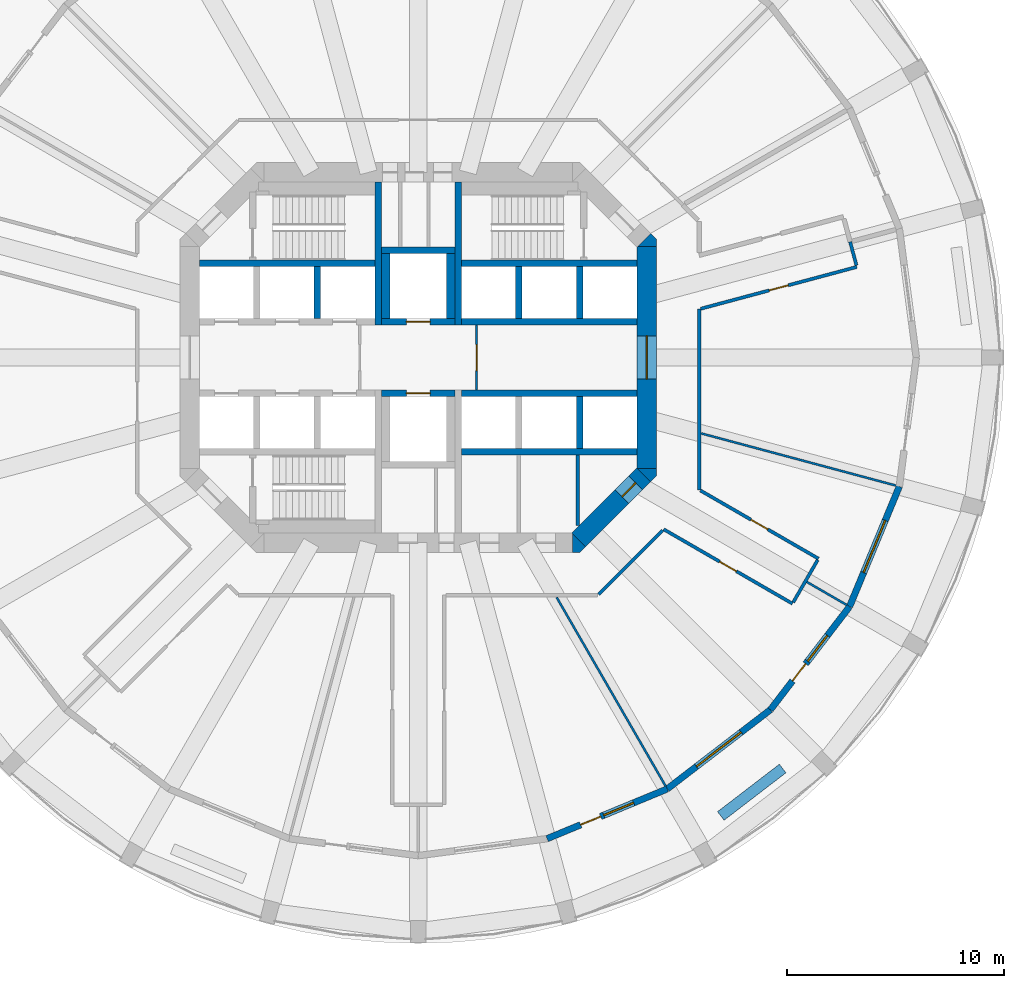
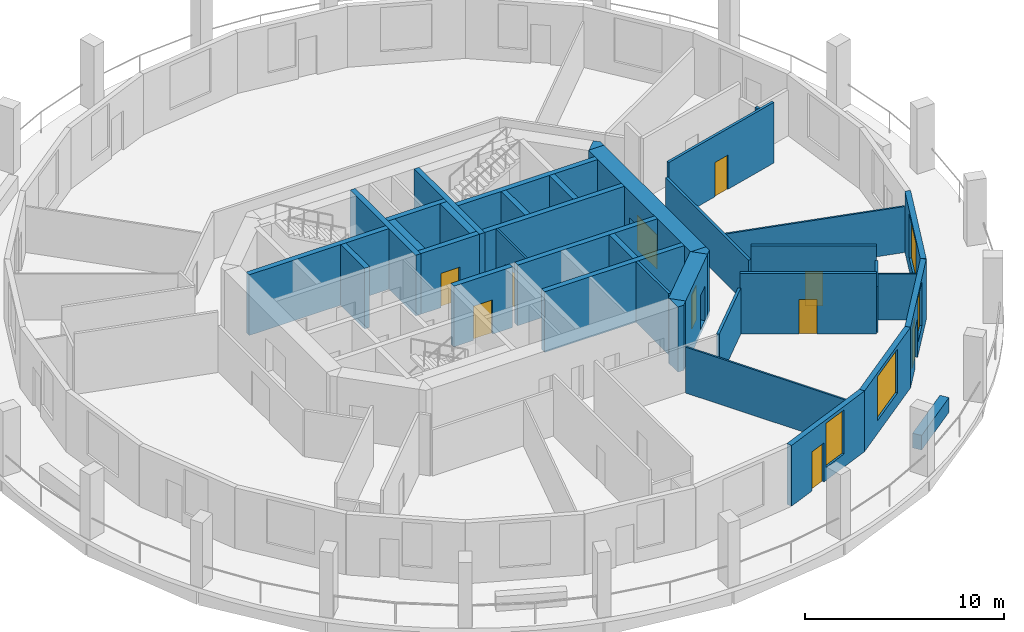
# One storey, part 4 of 9: 38 walls, 10 doors, 4 windows, 14 openings.
"""IFC4 building model written with IfcOpenShell, lengths in metres."""

from ifc_helpers import new_model, si_unit, direction, frame, frame_2d, origin, place, context, subcontext, project, spatial, polyline, rectangle, outline, extrude, material, layer, layer_set, type_object, element, fill, save


model = new_model("IFC4")

# Units and contexts
model_context = context("Model", 3, precision=1e-05, world=origin(), true_north=direction((0.0, 1.0)))
body_context = subcontext(model_context, "Body", "Model", "MODEL_VIEW")
ifc_project = project(units=[si_unit("LENGTHUNIT", "METRE"), si_unit("AREAUNIT", "SQUARE_METRE"), si_unit("VOLUMEUNIT", "CUBIC_METRE"), si_unit("PLANEANGLEUNIT", "RADIAN"), si_unit("MASSUNIT", "GRAM", prefix="KILO")], contexts=[model_context])

# Site, building, storey
site_placement = place(None, origin())
site = spatial("IfcSite", under=ifc_project, at=site_placement, CompositionType="ELEMENT")
building_placement = place(site_placement, origin())
building = spatial("IfcBuilding", under=site, at=building_placement, Name="Torre Triforio", CompositionType="ELEMENT")
storey_placement = place(building_placement, frame((0.0, 0.0, 39.0)))
storey = spatial("IfcBuildingStorey", under=building, at=storey_placement, Name="L07", CompositionType="ELEMENT", Elevation=39.0)

# Walls
ifc_material_1 = material(Name="Concrete C60", Category="concrete")
ifc_layer_1 = layer(ifc_material_1, 0.300048828125)
ifc_layer_set_1 = layer_set([ifc_layer_1], Name="Concrete C60")
wall_type_1 = type_object("IfcWallType", Name="Core wall 300 mm C60 EI 120", PredefinedType="SHEAR", material=ifc_layer_set_1)
for number, where, z_axis, x_axis, name in (
    (1, (-1.85009765625, 1.5, 0.0), (0.0, 0.0, 1.0), (0.0, 1.0, 0.0), "Core wall"),
    (2, (1.85009765625, 1.5, 0.0), (0.0, 0.0, 1.0), (0.0, 1.0, 0.0), "Core wall"),
):
    element("IfcWall", number, at=place(storey_placement, frame(where, z_axis=z_axis, x_axis=x_axis)), inside=storey, type_object=wall_type_1, Name=name, PredefinedType="SHEAR", context=body_context, shape_type="SweptSolid", body=[
        extrude(rectangle(XDim=6.60009765625, YDim=0.300048828125, at=frame_2d((3.300048828125, 0.0))), origin(), (0.0, 0.0, 1.0), 3.719970703125),
    ])

# Wall, opening, door
ifc_layer_2 = layer(ifc_material_1, 0.89990234375)
ifc_layer_set_2 = layer_set([ifc_layer_2], Name="Concrete C60")
wall_type_2 = type_object("IfcWallType", Name="Core wall 900 mm C60 EI 120", PredefinedType="SHEAR", material=ifc_layer_set_2)
wall_1_placement = place(storey_placement, frame((10.550048828125, -5.1298828125, -0.280029296875), z_axis=(0.0, 0.0, 1.0), x_axis=(0.0, 1.0, 0.0)))
wall_1 = element("IfcWall", 3, at=wall_1_placement, inside=storey, type_object=wall_type_2, Name="Core wall", PredefinedType="SHEAR", context=body_context, shape_type="SweptSolid", body=[
    extrude(rectangle(XDim=10.259765625, YDim=0.89990234375, at=frame_2d((5.1298828125, 0.0))), origin(), (0.0, 0.0, 1.0), 4.0),
])
opening_1_placement = place(wall_1_placement, frame((4.1298828125, 0.0, 0.280029296875)))
opening_1 = element("IfcOpeningElement", 4, at=opening_1_placement, cuts=wall_1, Name="Opening E-RING", PredefinedType="OPENING", context=body_context, shape_type="SweptSolid", body=[
    extrude(rectangle(XDim=2.0, YDim=2.10009765625, at=frame_2d((1.0, 1.050048828125))), frame((0.0, 0.4599609375, 0.0), z_axis=(0.0, -1.0, 0.0), x_axis=(1.0, 0.0, 0.0)), (0.0, 0.0, 1.0), 0.919921875),
])
ifc_material_2 = material(Name="Hollow metal fire door leaf")
door_type_1 = type_object("IfcDoorType", Name="Lobby door 2000 x 2100 EI 60", OperationType="DOUBLE_DOOR_SINGLE_SWING", PredefinedType="DOOR", material=ifc_material_2)
door_1_placement = place(opening_1_placement, origin())
door_1 = element("IfcDoor", 5, at=door_1_placement, inside=storey, type_object=door_type_1, Name="Core door E-RING", OperationType="DOUBLE_DOOR_SINGLE_SWING", OverallHeight=2.10009765625, OverallWidth=2.0, PredefinedType="DOOR", context=body_context, shape_type="SweptSolid", body=[
    extrude(rectangle(XDim=2.0, YDim=2.10009765625, at=frame_2d((1.0, 1.050048828125))), frame((0.0, 0.02490234375, 0.0), z_axis=(0.0, -1.0, 0.0), x_axis=(1.0, 0.0, 0.0)), (0.0, 0.0, 1.0), 0.050048828125),
])
fill(opening_1, door_1)

wall_2_placement = place(storey_placement, frame((10.418212890625, -5.418212890625, -0.280029296875), z_axis=(0.0, 0.0, 1.0), x_axis=(-0.707106781187, -0.707106781187, 0.0)))
wall_2 = element("IfcWall", 6, at=wall_2_placement, inside=storey, type_object=wall_type_2, Name="Core wall", PredefinedType="SHEAR", context=body_context, shape_type="SweptSolid", body=[
    extrude(rectangle(XDim=4.24267578125, YDim=0.89990234375, at=frame_2d((2.121337890625, 0.0))), origin(), (0.0, 0.0, 1.0), 4.0),
])
opening_2_placement = place(wall_2_placement, frame((0.52001953125, 0.0, 0.280029296875)))
opening_2 = element("IfcOpeningElement", 7, at=opening_2_placement, cuts=wall_2, Name="Opening SE-03", PredefinedType="OPENING", context=body_context, shape_type="SweptSolid", body=[
    extrude(rectangle(XDim=0.89990234375, YDim=2.10009765625, at=frame_2d((0.449951171875, 1.050048828125))), frame((0.0, 0.4599609375, 0.0), z_axis=(0.0, -1.0, 0.0), x_axis=(1.0, 0.0, 0.0)), (0.0, 0.0, 1.0), 0.919921875),
])
door_type_2 = type_object("IfcDoorType", Name="Room door 900 x 2100 EI 60", OperationType="NOTDEFINED", PredefinedType="DOOR", material=ifc_material_2)
door_2_placement = place(opening_2_placement, origin())
door_2 = element("IfcDoor", 8, at=door_2_placement, inside=storey, type_object=door_type_2, Name="Core door SE-03", OperationType="SINGLE_SWING_RIGHT", OverallHeight=2.10009765625, OverallWidth=0.89990234375, PredefinedType="DOOR", context=body_context, shape_type="SweptSolid", body=[
    extrude(rectangle(XDim=0.89990234375, YDim=2.10009765625, at=frame_2d((0.449951171875, 1.050048828125))), frame((0.0, 0.02490234375, 0.0), z_axis=(0.0, -1.0, 0.0), x_axis=(1.0, 0.0, 0.0)), (0.0, 0.0, 1.0), 0.050048828125),
])
fill(opening_2, door_2)

# Walls
wall_3_placement = place(storey_placement, frame((0.0, 0.0, -0.280029296875)))
element("IfcWall", 9, at=wall_3_placement, inside=storey, type_object=wall_type_2, Name="Core wall", PredefinedType="SHEAR", context=body_context, shape_type="SweptSolid", body=[
    extrude(outline(polyline([(7.472900390625, -9.0), (7.1298828125, -9.0), (7.1298828125, -8.1298828125), (7.736328125, -8.736328125), (7.472900390625, -9.0)])), origin(), (0.0, 0.0, 1.0), 4.0),
])
wall_4_placement = place(storey_placement, frame((0.0, 0.0, -0.280029296875)))
element("IfcWall", 10, at=wall_4_placement, inside=storey, type_object=wall_type_2, Name="Core wall", PredefinedType="SHEAR", context=body_context, shape_type="SweptSolid", body=[
    extrude(outline(polyline([(11.0, -5.472900390625), (10.736328125, -5.736328125), (10.1298828125, -5.1298828125), (11.0, -5.1298828125), (11.0, -5.472900390625)])), origin(), (0.0, 0.0, 1.0), 4.0),
])
wall_5_placement = place(storey_placement, frame((0.0, 0.0, -0.280029296875)))
element("IfcWall", 11, at=wall_5_placement, inside=storey, type_object=wall_type_2, Name="Core wall", PredefinedType="SHEAR", context=body_context, shape_type="SweptSolid", body=[
    extrude(outline(polyline([(11.0, 5.472900390625), (11.0, 5.1298828125), (10.1298828125, 5.1298828125), (10.736328125, 5.736328125), (11.0, 5.472900390625)])), origin(), (0.0, 0.0, 1.0), 4.0),
])
ifc_material_3 = material(Name="Plasterboard on metal studs")
ifc_layer_3 = layer(ifc_material_3, 0.14990234375)
ifc_layer_set_3 = layer_set([ifc_layer_3], Name="Plasterboard on metal studs")
wall_type_3 = type_object("IfcWallType", Name="Corridor and tenancy wall 150 mm EI 60", PredefinedType="PARTITIONING", material=ifc_layer_set_3)
wall_6_placement = place(storey_placement, frame((18.44482421875, -9.35009765625, 0.0), z_axis=(0.0, 0.0, 1.0), x_axis=(-0.500013631625, -0.866017533419, 0.0)))
element("IfcWall", 12, at=wall_6_placement, inside=storey, type_object=wall_type_3, Name="Partition 1", PredefinedType="PARTITIONING", context=body_context, shape_type="SweptSolid", body=[
    extrude(rectangle(XDim=2.25, YDim=0.14990234375, at=frame_2d((1.125, 0.0))), origin(), (0.0, 0.0, 1.0), 2.820068359375),
])

# Wall, opening, door
wall_7_placement = place(storey_placement, frame((17.2822265625, -11.363525390625, 0.0), z_axis=(0.0, 0.0, 1.0), x_axis=(-0.86603341746, 0.49998611965, 0.0)))
wall_7 = element("IfcWall", 13, at=wall_7_placement, inside=storey, type_object=wall_type_3, Name="Partition 2", PredefinedType="PARTITIONING", context=body_context, shape_type="SweptSolid", body=[
    extrude(rectangle(XDim=6.866455078125, YDim=0.14990234375, at=frame_2d((3.43310546875, 0.0))), origin(), (0.0, 0.0, 1.0), 3.719970703125),
])
opening_3_placement = place(wall_7_placement, frame((2.9833984375, 0.0, 0.0)))
opening_3 = element("IfcOpeningElement", 14, at=opening_3_placement, cuts=wall_7, Name="Opening N2-08", PredefinedType="OPENING", context=body_context, shape_type="SweptSolid", body=[
    extrude(rectangle(XDim=0.89990234375, YDim=2.10009765625, at=frame_2d((0.449951171875, 1.050048828125))), frame((0.0, 0.0849609375, 0.0), z_axis=(0.0, -1.0, 0.0), x_axis=(1.0, 0.0, 0.0)), (0.0, 0.0, 1.0), 0.169921875),
])
ifc_material_4 = material(Name="Timber", Category="wood")
door_type_3 = type_object("IfcDoorType", Name="Door 900 x 2100 single leaf EI 30", OperationType="NOTDEFINED", PredefinedType="DOOR", material=ifc_material_4)
door_3_placement = place(opening_3_placement, origin())
door_3 = element("IfcDoor", 15, at=door_3_placement, inside=storey, type_object=door_type_3, Name="Door N2-08", OperationType="SINGLE_SWING_RIGHT", OverallHeight=2.10009765625, OverallWidth=0.89990234375, PredefinedType="DOOR", context=body_context, shape_type="SweptSolid", body=[
    extrude(rectangle(XDim=0.89990234375, YDim=2.10009765625, at=frame_2d((0.449951171875, 1.050048828125))), frame((0.0, 0.02490234375, 0.0), z_axis=(0.0, -1.0, 0.0), x_axis=(1.0, 0.0, 0.0)), (0.0, 0.0, 1.0), 0.050048828125),
])
fill(opening_3, door_3)

# Walls
wall_8_placement = place(storey_placement, frame((11.2841796875, -7.9814453125, 0.0), z_axis=(0.0, 0.0, 1.0), x_axis=(-0.707077584218, -0.707135976949, 0.0)))
element("IfcWall", 16, at=wall_8_placement, inside=storey, type_object=wall_type_3, Name="Partition 3", PredefinedType="PARTITIONING", context=body_context, shape_type="SweptSolid", body=[
    extrude(rectangle(XDim=4.180908203125, YDim=0.14990234375, at=frame_2d((2.09033203125, 0.0))), origin(), (0.0, 0.0, 1.0), 2.820068359375),
])
wall_9_placement = place(storey_placement, frame((19.945068359375, 5.34423828125, 0.0), z_axis=(0.0, 0.0, 1.0), x_axis=(0.258891558609, -0.965906393436, 0.0)))
element("IfcWall", 17, at=wall_9_placement, inside=storey, type_object=wall_type_3, Name="Partition 26", PredefinedType="PARTITIONING", context=body_context, shape_type="SweptSolid", body=[
    extrude(rectangle(XDim=1.125, YDim=0.14990234375, at=frame_2d((0.5625, 0.0))), origin(), (0.0, 0.0, 1.0), 2.820068359375),
])

# Wall, opening, door
wall_10_placement = place(storey_placement, frame((20.255615234375, 4.185302734375, 0.0), z_axis=(0.0, 0.0, 1.0), x_axis=(-0.965924840231, -0.258822725092, 0.0)))
wall_10 = element("IfcWall", 18, at=wall_10_placement, inside=storey, type_object=wall_type_3, Name="Partition 27", PredefinedType="PARTITIONING", context=body_context, shape_type="SweptSolid", body=[
    extrude(rectangle(XDim=7.465087890625, YDim=0.14990234375, at=frame_2d((3.732421875, 0.0))), origin(), (0.0, 0.0, 1.0), 3.719970703125),
])
opening_4_placement = place(wall_10_placement, frame((3.282470703125, 0.0, 0.0)))
opening_4 = element("IfcOpeningElement", 19, at=opening_4_placement, cuts=wall_10, Name="Opening N2-10", PredefinedType="OPENING", context=body_context, shape_type="SweptSolid", body=[
    extrude(rectangle(XDim=0.89990234375, YDim=2.10009765625, at=frame_2d((0.449951171875, 1.050048828125))), frame((0.0, 0.0849609375, 0.0), z_axis=(0.0, -1.0, 0.0), x_axis=(1.0, 0.0, 0.0)), (0.0, 0.0, 1.0), 0.169921875),
])
door_4_placement = place(opening_4_placement, origin())
door_4 = element("IfcDoor", 20, at=door_4_placement, inside=storey, type_object=door_type_3, Name="Door N2-10", OperationType="SINGLE_SWING_RIGHT", OverallHeight=2.10009765625, OverallWidth=0.89990234375, PredefinedType="DOOR", context=body_context, shape_type="SweptSolid", body=[
    extrude(rectangle(XDim=0.89990234375, YDim=2.10009765625, at=frame_2d((0.449951171875, 1.050048828125))), frame((0.0, 0.02490234375, 0.0), z_axis=(0.0, -1.0, 0.0), x_axis=(1.0, 0.0, 0.0)), (0.0, 0.0, 1.0), 0.050048828125),
])
fill(opening_4, door_4)

# Wall
wall_11_placement = place(storey_placement, frame((12.97509765625, 2.234375, 0.0), z_axis=(0.0, 0.0, 1.0), x_axis=(0.0, -1.0, 0.0)))
element("IfcWall", 21, at=wall_11_placement, inside=storey, type_object=wall_type_3, Name="Partition 28", PredefinedType="PARTITIONING", context=body_context, shape_type="SweptSolid", body=[
    extrude(rectangle(XDim=8.33984375, YDim=0.14990234375, at=frame_2d((4.169921875, 0.0))), origin(), (0.0, 0.0, 1.0), 2.820068359375),
])

# Wall, opening, door
wall_12_placement = place(storey_placement, frame((13.03125, -6.137939453125, 0.0), z_axis=(0.0, 0.0, 1.0), x_axis=(0.86602669382, -0.499997765587, 0.0)))
wall_12 = element("IfcWall", 22, at=wall_12_placement, inside=storey, type_object=wall_type_3, Name="Partition 29", PredefinedType="PARTITIONING", context=body_context, shape_type="SweptSolid", body=[
    extrude(rectangle(XDim=6.29443359375, YDim=0.14990234375, at=frame_2d((3.147216796875, 0.0))), origin(), (0.0, 0.0, 1.0), 3.719970703125),
])
opening_5_placement = place(wall_12_placement, frame((2.697021484375, 0.0, 0.0)))
opening_5 = element("IfcOpeningElement", 23, at=opening_5_placement, cuts=wall_12, Name="Opening N2-09", PredefinedType="OPENING", context=body_context, shape_type="SweptSolid", body=[
    extrude(rectangle(XDim=0.89990234375, YDim=2.10009765625, at=frame_2d((0.449951171875, 1.050048828125))), frame((0.0, 0.0849609375, 0.0), z_axis=(0.0, -1.0, 0.0), x_axis=(1.0, 0.0, 0.0)), (0.0, 0.0, 1.0), 0.169921875),
])
door_5_placement = place(opening_5_placement, origin())
door_5 = element("IfcDoor", 24, at=door_5_placement, inside=storey, type_object=door_type_3, Name="Door N2-09", OperationType="SINGLE_SWING_LEFT", OverallHeight=2.10009765625, OverallWidth=0.89990234375, PredefinedType="DOOR", context=body_context, shape_type="SweptSolid", body=[
    extrude(rectangle(XDim=0.89990234375, YDim=2.10009765625, at=frame_2d((0.449951171875, 1.050048828125))), frame((0.0, 0.02490234375, 0.0), z_axis=(0.0, -1.0, 0.0), x_axis=(1.0, 0.0, 0.0)), (0.0, 0.0, 1.0), 0.050048828125),
])
fill(opening_5, door_5)

ifc_material_5 = material(Name="Block and board partition")
ifc_layer_4 = layer(ifc_material_5, 0.10009765625)
ifc_layer_set_4 = layer_set([ifc_layer_4], Name="Block and board partition")
wall_type_4 = type_object("IfcWallType", Name="Partition 100 mm EI 120", PredefinedType="PARTITIONING", material=ifc_layer_set_4)
wall_13_placement = place(storey_placement, frame((2.699951171875, -1.5, 0.0), z_axis=(0.0, 0.0, 1.0), x_axis=(0.0, 1.0, 0.0)))
wall_13 = element("IfcWall", 25, at=wall_13_placement, inside=storey, type_object=wall_type_4, Name="Partition", PredefinedType="PARTITIONING", context=body_context, shape_type="SweptSolid", body=[
    extrude(rectangle(XDim=3.0, YDim=0.10009765625, at=frame_2d((1.5, 0.0))), origin(), (0.0, 0.0, 1.0), 3.719970703125),
])
opening_6_placement = place(wall_13_placement, frame((0.89990234375, 0.0, 0.0)))
opening_6 = element("IfcOpeningElement", 26, at=opening_6_placement, cuts=wall_13, Name="Opening FF-E", PredefinedType="OPENING", context=body_context, shape_type="SweptSolid", body=[
    extrude(rectangle(XDim=1.199951171875, YDim=2.10009765625, at=frame_2d((0.60009765625, 1.050048828125))), frame((0.0, 0.06005859375, 0.0), z_axis=(0.0, -1.0, 0.0), x_axis=(1.0, 0.0, 0.0)), (0.0, 0.0, 1.0), 0.1201171875),
])
door_type_4 = type_object("IfcDoorType", Name="Fire-fighting lobby door 1200 x 2100 EI 60", OperationType="NOTDEFINED", PredefinedType="DOOR", material=ifc_material_2)
door_6_placement = place(opening_6_placement, origin())
door_6 = element("IfcDoor", 27, at=door_6_placement, inside=storey, type_object=door_type_4, Name="Core door FF-E", OperationType="SINGLE_SWING_RIGHT", OverallHeight=2.10009765625, OverallWidth=1.199951171875, PredefinedType="DOOR", context=body_context, shape_type="SweptSolid", body=[
    extrude(rectangle(XDim=1.199951171875, YDim=2.10009765625, at=frame_2d((0.60009765625, 1.050048828125))), frame((0.0, 0.02490234375, 0.0), z_axis=(0.0, -1.0, 0.0), x_axis=(1.0, 0.0, 0.0)), (0.0, 0.0, 1.0), 0.050048828125),
])
fill(opening_6, door_6)

# Walls
ifc_layer_5 = layer(ifc_material_3, 0.10009765625)
ifc_layer_set_5 = layer_set([ifc_layer_5], Name="Plasterboard on metal studs")
wall_type_5 = type_object("IfcWallType", Name="Partition 100 mm board on metal studs", PredefinedType="PARTITIONING", material=ifc_layer_set_5)
wall_14_placement = place(storey_placement, frame((6.393798828125, -11.07470703125, 0.0), z_axis=(0.0, 0.0, 1.0), x_axis=(0.500024592647, -0.866011204747, 0.0)))
element("IfcWall", 28, at=wall_14_placement, inside=storey, type_object=wall_type_5, Name="Partition 39", PredefinedType="PARTITIONING", context=body_context, shape_type="SweptSolid", body=[
    extrude(rectangle(XDim=10.048828125, YDim=0.10009765625, at=frame_2d((5.0244140625, 0.0))), origin(), (0.0, 0.0, 1.0), 2.820068359375),
])
wall_15_placement = place(storey_placement, frame((17.947265625, -10.36181640625, 0.0), z_axis=(0.0, 0.0, 1.0), x_axis=(0.865987390988, -0.500065834316, 0.0)))
element("IfcWall", 29, at=wall_15_placement, inside=storey, type_object=wall_type_5, Name="Partition 40", PredefinedType="PARTITIONING", context=body_context, shape_type="SweptSolid", body=[
    extrude(rectangle(XDim=2.113037109375, YDim=0.10009765625, at=frame_2d((1.056640625, 0.0))), origin(), (0.0, 0.0, 1.0), 2.820068359375),
])
wall_16_placement = place(storey_placement, frame((13.064208984375, -3.50048828125, 0.0), z_axis=(0.0, 0.0, 1.0), x_axis=(0.965922655056, -0.258830880017, 0.0)))
element("IfcWall", 30, at=wall_16_placement, inside=storey, type_object=wall_type_5, Name="Partition 41", PredefinedType="PARTITIONING", context=body_context, shape_type="SweptSolid", body=[
    extrude(rectangle(XDim=9.311767578125, YDim=0.10009765625, at=frame_2d((4.65576171875, 0.0))), origin(), (0.0, 0.0, 1.0), 2.820068359375),
])
ifc_layer_6 = layer(ifc_material_5, 0.14990234375)
ifc_layer_set_6 = layer_set([ifc_layer_6], Name="Block and board partition")
wall_type_6 = type_object("IfcWallType", Name="Partition 150 mm", PredefinedType="PARTITIONING", material=ifc_layer_set_6)
wall_17_placement = place(storey_placement, frame((7.373046875, -7.751953125, 0.0), z_axis=(0.0, 0.0, 1.0), x_axis=(0.0, 1.0, 0.0)))
element("IfcWall", 31, at=wall_17_placement, inside=storey, type_object=wall_type_6, Name="Partition", PredefinedType="PARTITIONING", context=body_context, shape_type="SweptSolid", body=[
    extrude(rectangle(XDim=3.251953125, YDim=0.14990234375, at=frame_2d((1.6259765625, 0.0))), origin(), (0.0, 0.0, 1.0), 3.719970703125),
])
ifc_material_6 = material(Name="Limestone cladding", Category="masonry")
ifc_layer_7 = layer(ifc_material_6, 0.10009765625)
ifc_material_7 = material(Name="Concrete C40", Category="concrete")
ifc_layer_8 = layer(ifc_material_7, 0.39990234375)
ifc_layer_set_7 = layer_set([ifc_layer_7, ifc_layer_8], Name="Limestone cladding / Concrete C40")
wall_type_7 = type_object("IfcWallType", Name="Planter wall 500", PredefinedType="PARAPET", material=ifc_layer_set_7)
wall_18_placement = place(storey_placement, frame((13.9736328125, -21.16748046875, 0.0), z_axis=(0.0, 0.0, 1.0), x_axis=(0.793359599829, 0.608753271334, 0.0)))
element("IfcWall", 32, at=wall_18_placement, inside=storey, type_object=wall_type_7, Name="Planter L07 bay 21", PredefinedType="PARAPET", context=body_context, shape_type="SweptSolid", body=[
    extrude(rectangle(XDim=3.599853515625, YDim=0.5, at=frame_2d((1.7998046875, 0.0))), origin(), (0.0, 0.0, 1.0), 0.89990234375),
])
ifc_layer_9 = layer(ifc_material_1, 0.300048828125)
ifc_layer_set_8 = layer_set([ifc_layer_9], Name="Concrete C60")
wall_type_8 = type_object("IfcWallType", Name="Shaft wall 300 mm C60 EI 120", PredefinedType="SOLIDWALL", material=ifc_layer_set_8)
for number, where, z_axis, x_axis, name in (
    (33, (-10.10009765625, 4.35009765625, 0.0), (0.0, 0.0, 1.0), (1.0, 0.0, 0.0), "Shaft wall"),
    (34, (2.0, 4.35009765625, 0.0), (0.0, 0.0, 1.0), (1.0, 0.0, 0.0), "Shaft wall"),
    (35, (2.0, -4.35009765625, 0.0), (0.0, 0.0, 1.0), (1.0, 0.0, 0.0), "Shaft wall"),
    (36, (2.0, 1.64990234375, 0.0), (0.0, 0.0, 1.0), (1.0, 0.0, 0.0), "Shaft wall"),
    (37, (2.0, -1.64990234375, 0.0), (0.0, 0.0, 1.0), (1.0, 0.0, 0.0), "Shaft wall"),
):
    element("IfcWall", number, at=place(storey_placement, frame(where, z_axis=z_axis, x_axis=x_axis)), inside=storey, type_object=wall_type_8, Name=name, PredefinedType="SOLIDWALL", context=body_context, shape_type="SweptSolid", body=[
        extrude(rectangle(XDim=8.10009765625, YDim=0.300048828125, at=frame_2d((4.050048828125, 0.0))), origin(), (0.0, 0.0, 1.0), 3.719970703125),
    ])
for number, where, z_axis, x_axis, name in (
    (38, (-4.64990234375, 1.800048828125, 0.0), (0.0, 0.0, 1.0), (0.0, 1.0, 0.0), "Shaft wall"),
    (39, (4.64990234375, 1.800048828125, 0.0), (0.0, 0.0, 1.0), (0.0, 1.0, 0.0), "Shaft wall"),
    (40, (7.449951171875, 1.800048828125, 0.0), (0.0, 0.0, 1.0), (0.0, 1.0, 0.0), "Shaft wall"),
    (41, (7.449951171875, -4.199951171875, 0.0), (0.0, 0.0, 1.0), (0.0, 1.0, 0.0), "Shaft wall"),
):
    element("IfcWall", number, at=place(storey_placement, frame(where, z_axis=z_axis, x_axis=x_axis)), inside=storey, type_object=wall_type_8, Name=name, PredefinedType="SOLIDWALL", context=body_context, shape_type="SweptSolid", body=[
        extrude(rectangle(XDim=2.39990234375, YDim=0.300048828125, at=frame_2d((1.199951171875, 0.0))), origin(), (0.0, 0.0, 1.0), 3.719970703125),
    ])

# Wall, opening, door
wall_19_placement = place(storey_placement, frame((-1.699951171875, 1.64990234375, 0.0), z_axis=(0.0, 0.0, 1.0), x_axis=(1.0, 0.0, 0.0)))
wall_19 = element("IfcWall", 42, at=wall_19_placement, inside=storey, type_object=wall_type_8, Name="Shaft wall", PredefinedType="SOLIDWALL", context=body_context, shape_type="SweptSolid", body=[
    extrude(rectangle(XDim=3.39990234375, YDim=0.300048828125, at=frame_2d((1.699951171875, 0.0))), origin(), (0.0, 0.0, 1.0), 3.719970703125),
])
opening_7_placement = place(wall_19_placement, frame((1.14990234375, 0.0, 0.0)))
opening_7 = element("IfcOpeningElement", 43, at=opening_7_placement, cuts=wall_19, Name="Opening LD", PredefinedType="OPENING", context=body_context, shape_type="SweptSolid", body=[
    extrude(rectangle(XDim=1.10009765625, YDim=2.10009765625, at=frame_2d((0.550048828125, 1.050048828125))), frame((0.0, 0.159912109375, 0.0), z_axis=(0.0, -1.0, 0.0), x_axis=(1.0, 0.0, 0.0)), (0.0, 0.0, 1.0), 0.320068359375),
])
door_type_5 = type_object("IfcDoorType", Name="Landing door 1100 x 2100 EI 60", OperationType="DOUBLE_DOOR_SLIDING", PredefinedType="DOOR", material=ifc_material_2)
door_7_placement = place(opening_7_placement, origin())
door_7 = element("IfcDoor", 44, at=door_7_placement, inside=storey, type_object=door_type_5, Name="Landing door FFL1", OperationType="DOUBLE_DOOR_SLIDING", OverallHeight=2.10009765625, OverallWidth=1.10009765625, PredefinedType="DOOR", context=body_context, shape_type="SweptSolid", body=[
    extrude(rectangle(XDim=1.10009765625, YDim=2.10009765625, at=frame_2d((0.550048828125, 1.050048828125))), frame((0.0, 0.02490234375, 0.0), z_axis=(0.0, -1.0, 0.0), x_axis=(1.0, 0.0, 0.0)), (0.0, 0.0, 1.0), 0.050048828125),
])
fill(opening_7, door_7)

wall_20_placement = place(storey_placement, frame((-1.699951171875, -1.64990234375, 0.0), z_axis=(0.0, 0.0, 1.0), x_axis=(1.0, 0.0, 0.0)))
wall_20 = element("IfcWall", 45, at=wall_20_placement, inside=storey, type_object=wall_type_8, Name="Shaft wall", PredefinedType="SOLIDWALL", context=body_context, shape_type="SweptSolid", body=[
    extrude(rectangle(XDim=3.39990234375, YDim=0.300048828125, at=frame_2d((1.699951171875, 0.0))), origin(), (0.0, 0.0, 1.0), 3.719970703125),
])
opening_8_placement = place(wall_20_placement, frame((1.14990234375, 0.0, 0.0)))
opening_8 = element("IfcOpeningElement", 46, at=opening_8_placement, cuts=wall_20, Name="Opening LD", PredefinedType="OPENING", context=body_context, shape_type="SweptSolid", body=[
    extrude(rectangle(XDim=1.10009765625, YDim=2.10009765625, at=frame_2d((0.550048828125, 1.050048828125))), frame((0.0, 0.159912109375, 0.0), z_axis=(0.0, -1.0, 0.0), x_axis=(1.0, 0.0, 0.0)), (0.0, 0.0, 1.0), 0.320068359375),
])
door_8_placement = place(opening_8_placement, origin())
door_8 = element("IfcDoor", 47, at=door_8_placement, inside=storey, type_object=door_type_5, Name="Landing door FFL2", OperationType="DOUBLE_DOOR_SLIDING", OverallHeight=2.10009765625, OverallWidth=1.10009765625, PredefinedType="DOOR", context=body_context, shape_type="SweptSolid", body=[
    extrude(rectangle(XDim=1.10009765625, YDim=2.10009765625, at=frame_2d((0.550048828125, 1.050048828125))), frame((0.0, 0.02490234375, 0.0), z_axis=(0.0, -1.0, 0.0), x_axis=(1.0, 0.0, 0.0)), (0.0, 0.0, 1.0), 0.050048828125),
])
fill(opening_8, door_8)

# Walls
wall_21_placement = place(storey_placement, frame((-1.699951171875, 4.949951171875, 0.0), z_axis=(0.0, 0.0, 1.0), x_axis=(1.0, 0.0, 0.0)))
element("IfcWall", 48, at=wall_21_placement, inside=storey, type_object=wall_type_8, Name="Shaft wall", PredefinedType="SOLIDWALL", context=body_context, shape_type="SweptSolid", body=[
    extrude(rectangle(XDim=3.39990234375, YDim=0.300048828125, at=frame_2d((1.699951171875, 0.0))), origin(), (0.0, 0.0, 1.0), 3.719970703125),
])
ifc_layer_10 = layer(ifc_material_1, 0.39990234375)
ifc_layer_set_9 = layer_set([ifc_layer_10], Name="Concrete C60")
wall_type_9 = type_object("IfcWallType", Name="Shaft wall 400 mm C60 EI 120", PredefinedType="SOLIDWALL", material=ifc_layer_set_9)
for number, where, z_axis, x_axis, name in (
    (49, (-1.5, 1.800048828125, 0.0), (0.0, 0.0, 1.0), (0.0, 1.0, 0.0), "Shaft wall"),
    (50, (1.5, 1.800048828125, 0.0), (0.0, 0.0, 1.0), (0.0, 1.0, 0.0), "Shaft wall"),
):
    element("IfcWall", number, at=place(storey_placement, frame(where, z_axis=z_axis, x_axis=x_axis)), inside=storey, type_object=wall_type_9, Name=name, PredefinedType="SOLIDWALL", context=body_context, shape_type="SweptSolid", body=[
        extrude(rectangle(XDim=3.0, YDim=0.39990234375, at=frame_2d((1.5, 0.0))), origin(), (0.0, 0.0, 1.0), 3.719970703125),
    ])

# Wall, openings, door, window
ifc_layer_11 = layer(ifc_material_6, 0.10009765625)
ifc_layer_12 = layer(ifc_material_7, 0.199951171875)
ifc_layer_set_10 = layer_set([ifc_layer_11, ifc_layer_12], Name="Limestone cladding / Concrete C40")
wall_type_10 = type_object("IfcWallType", Name="Stone-faced composite wall 300", PredefinedType="STANDARD", material=ifc_layer_set_10)
wall_22_placement = place(storey_placement, frame((5.952880859375, -22.21630859375, 0.0), z_axis=(0.0, 0.0, 1.0), x_axis=(0.923884511653, 0.382671411433, 0.0)))
wall_22 = element("IfcWall", 51, at=wall_22_placement, inside=storey, type_object=wall_type_10, Name="External wall L07 bay 20", PredefinedType="STANDARD", context=body_context, shape_type="SweptSolid", body=[
    extrude(rectangle(XDim=6.004150390625, YDim=0.300048828125, at=frame_2d((3.001953125, 0.0))), origin(), (0.0, 0.0, 1.0), 3.719970703125),
])
opening_9_placement = place(wall_22_placement, frame((1.677001953125, 0.0, 0.0)))
opening_9 = element("IfcOpeningElement", 52, at=opening_9_placement, cuts=wall_22, Name="Opening N2-D20", PredefinedType="OPENING", context=body_context, shape_type="SweptSolid", body=[
    extrude(rectangle(XDim=1.0, YDim=2.39990234375, at=frame_2d((0.5, 1.199951171875))), frame((0.0, 0.159912109375, 0.0), z_axis=(0.0, -1.0, 0.0), x_axis=(1.0, 0.0, 0.0)), (0.0, 0.0, 1.0), 0.320068359375),
])
opening_10_placement = place(wall_22_placement, frame((2.8271484375, 0.0, 0.800048828125)))
opening_10 = element("IfcOpeningElement", 53, at=opening_10_placement, cuts=wall_22, Name="Opening N2-W20A", PredefinedType="OPENING", context=body_context, shape_type="SweptSolid", body=[
    extrude(rectangle(XDim=1.5, YDim=2.699951171875, at=frame_2d((0.75, 1.35009765625))), frame((0.0, 0.159912109375, 0.0), z_axis=(0.0, -1.0, 0.0), x_axis=(1.0, 0.0, 0.0)), (0.0, 0.0, 1.0), 0.320068359375),
])
ifc_material_8 = material(Name="Aluminium frame with clear double glazing", Category="aluminium")
door_type_6 = type_object("IfcDoorType", Name="Loggia door 1000 x 2400", OperationType="NOTDEFINED", PredefinedType="DOOR", material=ifc_material_8)
door_9_placement = place(opening_9_placement, origin())
door_9 = element("IfcDoor", 54, at=door_9_placement, inside=storey, type_object=door_type_6, Name="Loggia door L07 bay 20", OperationType="SINGLE_SWING_RIGHT", OverallHeight=2.39990234375, OverallWidth=1.0, PredefinedType="DOOR", context=body_context, shape_type="SweptSolid", body=[
    extrude(rectangle(XDim=1.0, YDim=2.39990234375, at=frame_2d((0.5, 1.199951171875))), frame((0.0, 0.02490234375, 0.0), z_axis=(0.0, -1.0, 0.0), x_axis=(1.0, 0.0, 0.0)), (0.0, 0.0, 1.0), 0.050048828125),
])
fill(opening_9, door_9)
window_type_1 = type_object("IfcWindowType", Name="Side window 1500 x 2700", PartitioningType="SINGLE_PANEL", PredefinedType="WINDOW", material=ifc_material_8)
window_1_placement = place(opening_10_placement, origin())
window_1 = element("IfcWindow", 55, at=window_1_placement, inside=storey, type_object=window_type_1, Name="Side window EWN12 L07 bay 20", OverallHeight=2.699951171875, OverallWidth=1.5, PartitioningType="SINGLE_PANEL", PredefinedType="WINDOW", context=body_context, shape_type="SweptSolid", body=[
    extrude(rectangle(XDim=1.5, YDim=2.699951171875, at=frame_2d((0.75, 1.35009765625))), frame((0.0, 0.030029296875, 0.0), z_axis=(0.0, -1.0, 0.0), x_axis=(1.0, 0.0, 0.0)), (0.0, 0.0, 1.0), 0.06005859375),
])
fill(opening_10, window_1)

# Wall, opening, window
wall_23_placement = place(storey_placement, frame((11.5, -19.918701171875, 0.0), z_axis=(0.0, 0.0, 1.0), x_axis=(0.793339924758, 0.608778912074, 0.0)))
wall_23 = element("IfcWall", 56, at=wall_23_placement, inside=storey, type_object=wall_type_10, Name="External wall L07 bay 21", PredefinedType="STANDARD", context=body_context, shape_type="SweptSolid", body=[
    extrude(rectangle(XDim=6.004150390625, YDim=0.300048828125, at=frame_2d((3.001953125, 0.0))), origin(), (0.0, 0.0, 1.0), 3.719970703125),
])
opening_11_placement = place(wall_23_placement, frame((1.7021484375, 0.0, 0.800048828125)))
opening_11 = element("IfcOpeningElement", 57, at=opening_11_placement, cuts=wall_23, Name="Opening N2-W21", PredefinedType="OPENING", context=body_context, shape_type="SweptSolid", body=[
    extrude(rectangle(XDim=2.60009765625, YDim=2.699951171875, at=frame_2d((1.300048828125, 1.35009765625))), frame((0.0, 0.159912109375, 0.0), z_axis=(0.0, -1.0, 0.0), x_axis=(1.0, 0.0, 0.0)), (0.0, 0.0, 1.0), 0.320068359375),
])
window_type_2 = type_object("IfcWindowType", Name="Punched window 2600 x 2700", PartitioningType="DOUBLE_PANEL_VERTICAL", PredefinedType="WINDOW", material=ifc_material_8)
window_2_placement = place(opening_11_placement, origin())
window_2 = element("IfcWindow", 58, at=window_2_placement, inside=storey, type_object=window_type_2, Name="Window EWN2 L07 bay 21", OverallHeight=2.699951171875, OverallWidth=2.60009765625, PartitioningType="SINGLE_PANEL", PredefinedType="WINDOW", context=body_context, shape_type="SweptSolid", body=[
    extrude(rectangle(XDim=2.60009765625, YDim=2.699951171875, at=frame_2d((1.300048828125, 1.35009765625))), frame((0.0, 0.030029296875, 0.0), z_axis=(0.0, -1.0, 0.0), x_axis=(1.0, 0.0, 0.0)), (0.0, 0.0, 1.0), 0.06005859375),
])
fill(opening_11, window_2)

# Wall, openings, door, window
wall_24_placement = place(storey_placement, frame((16.263427734375, -16.263427734375, 0.0), z_axis=(0.0, 0.0, 1.0), x_axis=(0.608778912074, 0.793339924758, 0.0)))
wall_24 = element("IfcWall", 59, at=wall_24_placement, inside=storey, type_object=wall_type_10, Name="External wall L07 bay 22", PredefinedType="STANDARD", context=body_context, shape_type="SweptSolid", body=[
    extrude(rectangle(XDim=6.004150390625, YDim=0.300048828125, at=frame_2d((3.001953125, 0.0))), origin(), (0.0, 0.0, 1.0), 3.719970703125),
])
opening_12_placement = place(wall_24_placement, frame((1.677001953125, 0.0, 0.0)))
opening_12 = element("IfcOpeningElement", 60, at=opening_12_placement, cuts=wall_24, Name="Opening N2-D22", PredefinedType="OPENING", context=body_context, shape_type="SweptSolid", body=[
    extrude(rectangle(XDim=1.0, YDim=2.39990234375, at=frame_2d((0.5, 1.199951171875))), frame((0.0, 0.159912109375, 0.0), z_axis=(0.0, -1.0, 0.0), x_axis=(1.0, 0.0, 0.0)), (0.0, 0.0, 1.0), 0.320068359375),
])
opening_13_placement = place(wall_24_placement, frame((2.8271484375, 0.0, 0.800048828125)))
opening_13 = element("IfcOpeningElement", 61, at=opening_13_placement, cuts=wall_24, Name="Opening N2-W22A", PredefinedType="OPENING", context=body_context, shape_type="SweptSolid", body=[
    extrude(rectangle(XDim=1.5, YDim=2.699951171875, at=frame_2d((0.75, 1.35009765625))), frame((0.0, 0.159912109375, 0.0), z_axis=(0.0, -1.0, 0.0), x_axis=(1.0, 0.0, 0.0)), (0.0, 0.0, 1.0), 0.320068359375),
])
door_10_placement = place(opening_12_placement, origin())
door_10 = element("IfcDoor", 62, at=door_10_placement, inside=storey, type_object=door_type_6, Name="Loggia door L07 bay 22", OperationType="SINGLE_SWING_LEFT", OverallHeight=2.39990234375, OverallWidth=1.0, PredefinedType="DOOR", context=body_context, shape_type="SweptSolid", body=[
    extrude(rectangle(XDim=1.0, YDim=2.39990234375, at=frame_2d((0.5, 1.199951171875))), frame((0.0, 0.02490234375, 0.0), z_axis=(0.0, -1.0, 0.0), x_axis=(1.0, 0.0, 0.0)), (0.0, 0.0, 1.0), 0.050048828125),
])
fill(opening_12, door_10)
window_3_placement = place(opening_13_placement, origin())
window_3 = element("IfcWindow", 63, at=window_3_placement, inside=storey, type_object=window_type_1, Name="Side window EWN12 L07 bay 22", OverallHeight=2.699951171875, OverallWidth=1.5, PartitioningType="SINGLE_PANEL", PredefinedType="WINDOW", context=body_context, shape_type="SweptSolid", body=[
    extrude(rectangle(XDim=1.5, YDim=2.699951171875, at=frame_2d((0.75, 1.35009765625))), frame((0.0, 0.030029296875, 0.0), z_axis=(0.0, -1.0, 0.0), x_axis=(1.0, 0.0, 0.0)), (0.0, 0.0, 1.0), 0.06005859375),
])
fill(opening_13, window_3)

# Wall, opening, window
wall_25_placement = place(storey_placement, frame((19.918701171875, -11.5, 0.0), z_axis=(0.0, 0.0, 1.0), x_axis=(0.382671411433, 0.923884511653, 0.0)))
wall_25 = element("IfcWall", 64, at=wall_25_placement, inside=storey, type_object=wall_type_10, Name="External wall L07 bay 23", PredefinedType="STANDARD", context=body_context, shape_type="SweptSolid", body=[
    extrude(rectangle(XDim=6.004150390625, YDim=0.300048828125, at=frame_2d((3.001953125, 0.0))), origin(), (0.0, 0.0, 1.0), 3.719970703125),
])
opening_14_placement = place(wall_25_placement, frame((1.7021484375, 0.0, 0.800048828125)))
opening_14 = element("IfcOpeningElement", 65, at=opening_14_placement, cuts=wall_25, Name="Opening N2-W23", PredefinedType="OPENING", context=body_context, shape_type="SweptSolid", body=[
    extrude(rectangle(XDim=2.60009765625, YDim=2.699951171875, at=frame_2d((1.300048828125, 1.35009765625))), frame((0.0, 0.159912109375, 0.0), z_axis=(0.0, -1.0, 0.0), x_axis=(1.0, 0.0, 0.0)), (0.0, 0.0, 1.0), 0.320068359375),
])
window_4_placement = place(opening_14_placement, origin())
window_4 = element("IfcWindow", 66, at=window_4_placement, inside=storey, type_object=window_type_2, Name="Window EWN2 L07 bay 23", OverallHeight=2.699951171875, OverallWidth=2.60009765625, PartitioningType="SINGLE_PANEL", PredefinedType="WINDOW", context=body_context, shape_type="SweptSolid", body=[
    extrude(rectangle(XDim=2.60009765625, YDim=2.699951171875, at=frame_2d((1.300048828125, 1.35009765625))), frame((0.0, 0.030029296875, 0.0), z_axis=(0.0, -1.0, 0.0), x_axis=(1.0, 0.0, 0.0)), (0.0, 0.0, 1.0), 0.06005859375),
])
fill(opening_14, window_4)

save(model, "model.ifc")
